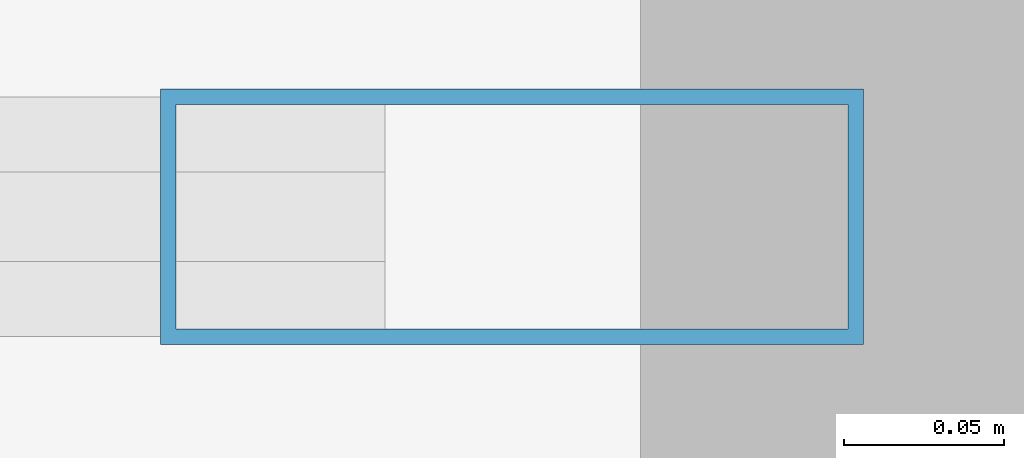
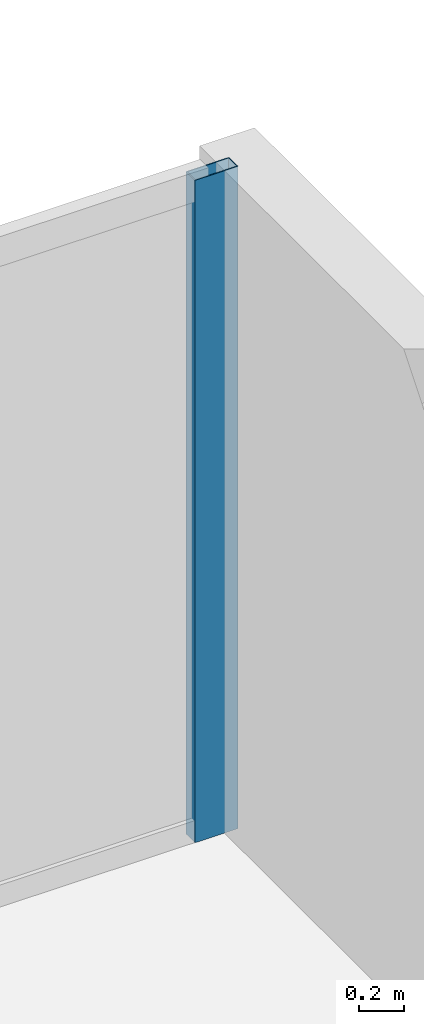
# One storey, part 15 of 27: 1 member, 1 element without a shape of its own.
"""IFC4 building model written with IfcOpenShell, lengths in metres."""

from ifc_helpers import new_model, si_unit, direction, frame, origin, origin_with_axes, origin_2d, place, context, subcontext, project, spatial, hollow_rectangle, extrude, source, transform, mapped, material, layer, layer_set, material_profile, profile_set, type_object, element, aggregate, save


model = new_model("IFC4")

# Units and contexts
model_context = context("Model", 3, precision=1e-05, world=origin(), true_north=direction((0.0, 1.0)))
body_context = subcontext(model_context, "Body", "Model", "MODEL_VIEW")
ifc_project = project(units=[si_unit("LENGTHUNIT", "METRE"), si_unit("AREAUNIT", "SQUARE_METRE"), si_unit("VOLUMEUNIT", "CUBIC_METRE"), si_unit("PLANEANGLEUNIT", "RADIAN"), si_unit("MASSUNIT", "GRAM", prefix="KILO")], contexts=[model_context])

# Site, building, storey
site_placement = place(None, origin())
site = spatial("IfcSite", under=ifc_project, at=site_placement, CompositionType="ELEMENT")
building_placement = place(site_placement, origin())
building = spatial("IfcBuilding", under=site, at=building_placement, Name="Kolvaren Waterfront Exchange", CompositionType="ELEMENT")
storey_placement = place(building_placement, frame((0.0, 0.0, 161.39990234375)))
storey = spatial("IfcBuildingStorey", under=building, at=storey_placement, Name="L41", CompositionType="ELEMENT", Elevation=161.39990234375)

# Curtain wall, member
ifc_material_1 = material(Name="Anodised bronze aluminium 6063-T6", Category="aluminium")
ifc_layer = layer(ifc_material_1, 0.219970703125, Name="Anodised bronze aluminium 6063-T6")
ifc_layer_set = layer_set([ifc_layer], Name="Anodised bronze aluminium 6063-T6")
curtain_wall_type = type_object("IfcCurtainWallType", Name="ARC-CW-SYS1", PredefinedType="USERDEFINED", material=ifc_layer_set)
curtain_wall_placement = place(storey_placement, origin())
curtain_wall = element("IfcCurtainWall", 1, at=curtain_wall_placement, inside=storey, type_object=curtain_wall_type, Name="L41 stick curtain wall CW1 (CW-L41-EN)", ObjectType="STICK CURTAIN WALL", PredefinedType="USERDEFINED")
ifc_material_2 = material(Name="Anodised aluminium 6063-T6", Category="aluminium")
ifc_material_profile = material_profile(ifc_material_2, hollow_rectangle(XDim=0.080078125, YDim=0.219970703125, WallThickness=0.0048828125, at=origin_2d()), Name="ALU-MUL-220x80x5")
ifc_profile_set = profile_set([ifc_material_profile], Name="Anodised aluminium 6063-T6")
member_type = type_object("IfcMemberType", Name="ARC-CWM-220", PredefinedType="MULLION", material=ifc_profile_set)
shared_shape = source(origin_with_axes(), body_context, "Body", "SweptSolid", [
    extrude(hollow_rectangle(XDim=0.080078125, YDim=0.219970703125, WallThickness=0.0048828125, at=origin_2d()), origin(), (0.0, 0.0, 1.0), 3.56005859375),
])
member_placement = place(storey_placement, frame((54.659912109375, 20.9599609375, 0.0), z_axis=(0.0, 0.0, 1.0), x_axis=(0.0, 1.0, 0.0)))
member = element("IfcMember", 2, at=member_placement, type_object=member_type, Name="CW1 mullion 5", PredefinedType="MULLION", context=body_context, shape_type="MappedRepresentation", body=[
    mapped(shared_shape, transform((0.0, 0.0, 0.0), x_axis=(1.0, 0.0, 0.0), y_axis=(0.0, 1.0, 0.0), z_axis=(0.0, 0.0, 1.0), scale=1.0)),
])
aggregate(curtain_wall, [member])

save(model, "model.ifc")
